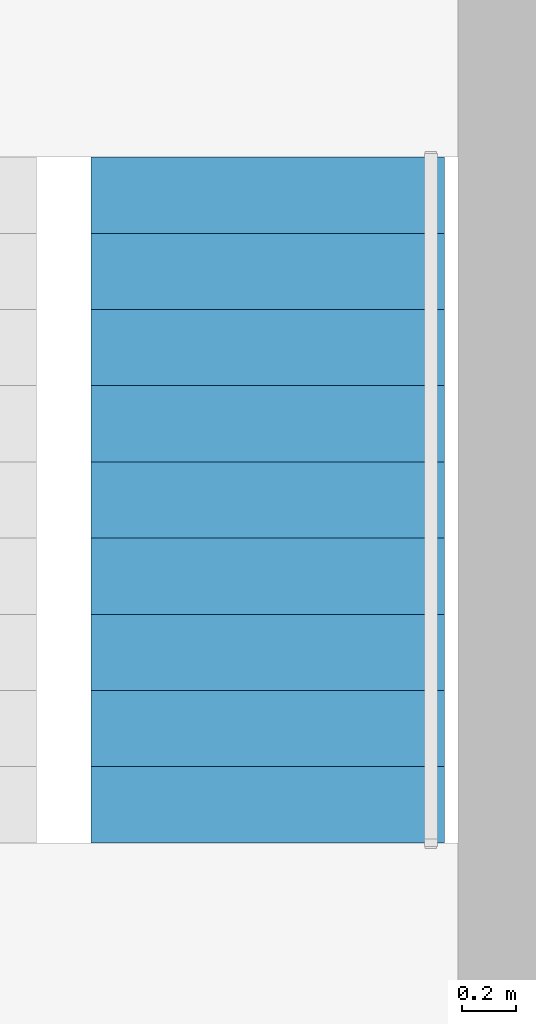
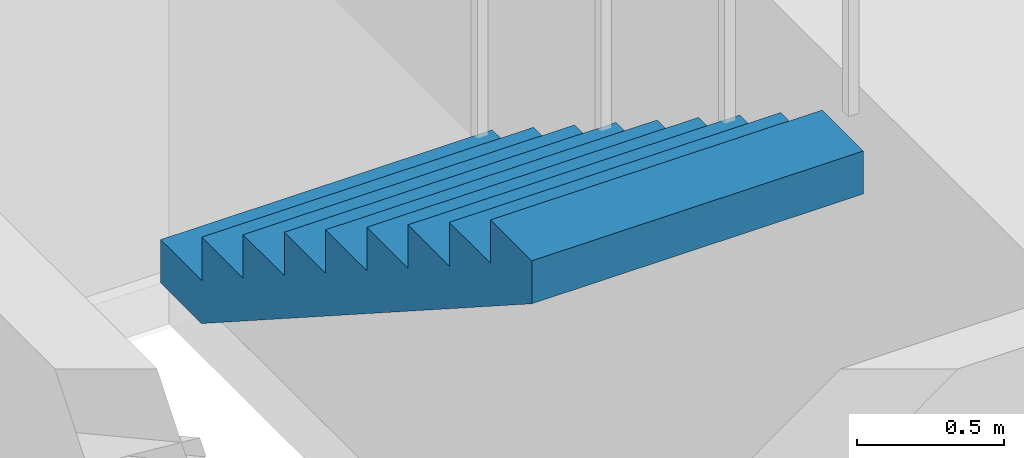
# One storey, part 12 of 13: 1 stair flight, 1 element without a shape of its own.
"""IFC4 building model written with IfcOpenShell, lengths in metres."""

from ifc_helpers import new_model, si_unit, direction, frame, origin, place, context, subcontext, project, spatial, polyline, outline, extrude, material, type_object, element, aggregate, save


model = new_model("IFC4")

# Units and contexts
model_context = context("Model", 3, precision=1e-05, world=origin(), true_north=direction((0.0, 1.0)))
body_context = subcontext(model_context, "Body", "Model", "MODEL_VIEW")
ifc_project = project(units=[si_unit("LENGTHUNIT", "METRE"), si_unit("AREAUNIT", "SQUARE_METRE"), si_unit("VOLUMEUNIT", "CUBIC_METRE"), si_unit("PLANEANGLEUNIT", "RADIAN"), si_unit("MASSUNIT", "GRAM", prefix="KILO")], contexts=[model_context])

# Site, building, storey
site_placement = place(None, origin())
site = spatial("IfcSite", under=ifc_project, at=site_placement, CompositionType="ELEMENT")
building_placement = place(site_placement, origin())
building = spatial("IfcBuilding", under=site, at=building_placement, Name="Nyansa Garden Tower", CompositionType="ELEMENT")
storey_placement = place(building_placement, frame((0.0, 0.0, 83.699951171875)))
storey = spatial("IfcBuildingStorey", under=building, at=storey_placement, Name="L22", CompositionType="ELEMENT", Elevation=83.699951171875)

# Stair, stair flight
ifc_material_1 = material(Name="Precast concrete C40/50", Category="concrete")
stair_type = type_object("IfcStairType", Name="Stair S2 180x280", PredefinedType="HALF_TURN_STAIR", material=ifc_material_1)
stair_placement = place(storey_placement, origin())
stair = element("IfcStair", 1, at=stair_placement, inside=storey, type_object=stair_type, Name="Stair S2 L22", PredefinedType="HALF_TURN_STAIR")
ifc_material_2 = material(Name="Precast concrete C40/50", Category="concrete")
stair_flight_type = type_object("IfcStairFlightType", Name="Stair flight S2 180x280x10", PredefinedType="STRAIGHT", material=ifc_material_2)
stair_flight_placement = place(storey_placement, frame((25.699951171875, 24.1201171875, 1.800048828125), z_axis=(0.0, 0.0, 1.0), x_axis=(0.0, -1.0, 0.0)))
stair_flight = element("IfcStairFlight", 2, at=stair_flight_placement, type_object=stair_flight_type, Name="S2 flight 2", NumberOfRisers=10, NumberOfTreads=9, PredefinedType="STRAIGHT", RiserHeight=0.18, TreadLength=0.28, context=body_context, shape_type="SweptSolid", body=[
    extrude(outline(polyline([(0.0, 0.0), (0.0, 0.179931640625), (0.280029296875, 0.179931640625), (0.280029296875, 0.360107421875), (0.56005859375, 0.360107421875), (0.56005859375, 0.5400390625), (0.840087890625, 0.5400390625), (0.840087890625, 0.719970703125), (1.1201171875, 0.719970703125), (1.1201171875, 0.89990234375), (1.39990234375, 0.89990234375), (1.39990234375, 1.080078125), (1.679931640625, 1.080078125), (1.679931640625, 1.260009765625), (1.9599609375, 1.260009765625), (1.9599609375, 1.43994140625), (2.239990234375, 1.43994140625), (2.239990234375, 1.6201171875), (2.52001953125, 1.6201171875), (2.52001953125, 1.800048828125), (2.52001953125, 1.44189453125), (0.277099609375, 0.0), (0.0, 0.0)])), frame((0.0, 0.64990234375, 0.0), z_axis=(0.0, -1.0, 0.0), x_axis=(1.0, 0.0, 0.0)), (0.0, 0.0, 1.0), 1.300048828125),
])
aggregate(stair, [stair_flight])

save(model, "model.ifc")
